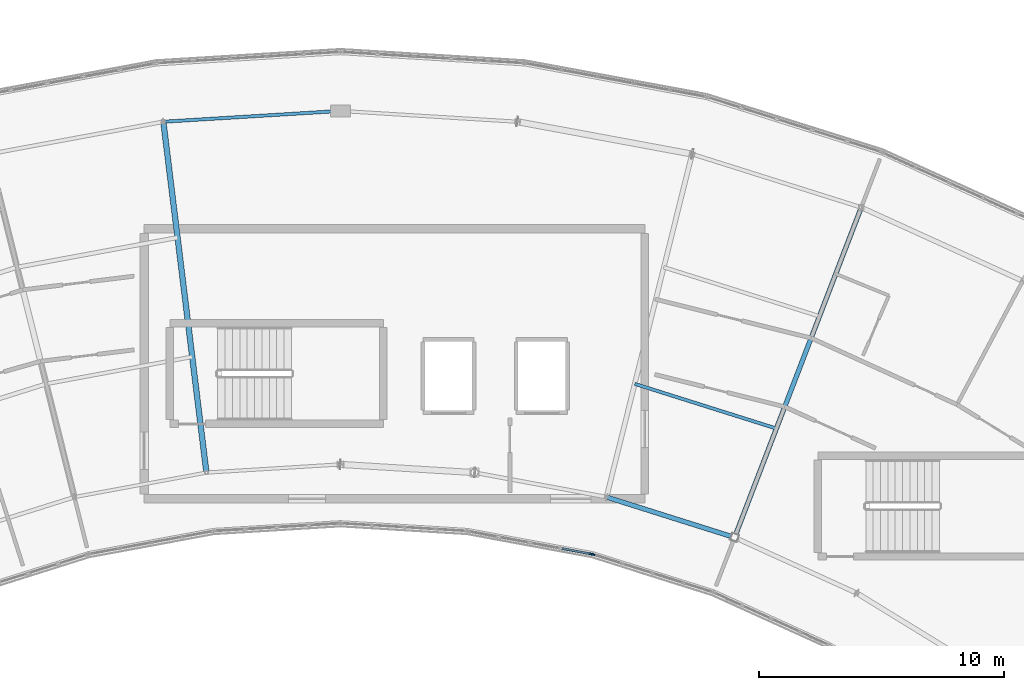
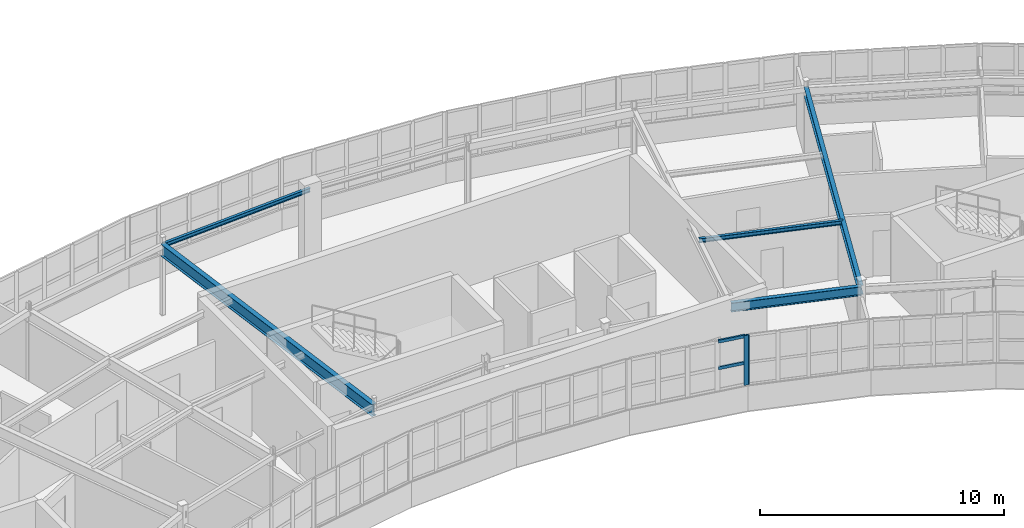
# One storey, part 39 of 79: 5 beams, 4 members, 2 elements without a shape of their own.
"""IFC4 building model written with IfcOpenShell, lengths in metres."""

from ifc_helpers import new_model, si_unit, direction, frame, origin, origin_2d, place, context, subcontext, project, spatial, rectangle, i_section, extrude, material, layer, layer_set, material_profile, profile_set, type_object, element, aggregate, save


model = new_model("IFC4")

# Units and contexts
model_context = context("Model", 3, precision=1e-05, world=origin(), true_north=direction((0.0, 1.0)))
body_context = subcontext(model_context, "Body", "Model", "MODEL_VIEW")
ifc_project = project(units=[si_unit("LENGTHUNIT", "METRE"), si_unit("AREAUNIT", "SQUARE_METRE"), si_unit("VOLUMEUNIT", "CUBIC_METRE"), si_unit("PLANEANGLEUNIT", "RADIAN"), si_unit("MASSUNIT", "GRAM", prefix="KILO")], contexts=[model_context])

# Site, building, storey
site_placement = place(None, origin())
site = spatial("IfcSite", under=ifc_project, at=site_placement, CompositionType="ELEMENT")
building_placement = place(site_placement, origin())
building = spatial("IfcBuilding", under=site, at=building_placement, Name="Tarnwether General Hospital", CompositionType="ELEMENT")
storey_placement = place(building_placement, frame((0.0, 0.0, 18.300048828125)))
storey = spatial("IfcBuildingStorey", under=building, at=storey_placement, Name="L04", CompositionType="ELEMENT", Elevation=18.300048828125)

# Beams
ifc_material_1 = material(Name="Steel Grade 350 (350 MPa)", Category="steel")
ifc_material_profile_1 = material_profile(ifc_material_1, i_section(OverallWidth=0.22802734375, OverallDepth=0.60205078125, WebThickness=0.010498046875, FlangeThickness=0.014892578125, at=origin_2d()), Name="610UB101")
ifc_profile_set_1 = profile_set([ifc_material_profile_1], Name="Steel Grade 350 (350 MPa)")
beam_type_1 = type_object("IfcBeamType", Name="BM-G05", PredefinedType="BEAM", material=ifc_profile_set_1)
beam_1_placement = place(storey_placement, frame((84.784912109375, 121.759033203125, 3.259033203125), z_axis=(0.121881045946, -0.99254471468, 0.0), x_axis=(0.99254471468, 0.121881045946, 0.0)))
element("IfcBeam", 1, at=beam_1_placement, inside=storey, type_object=beam_type_1, Name="Curved Ward NW Radial Girder BMG-L04-8478_12176-8654_10747-1952", PredefinedType="BEAM", context=body_context, shape_type="SweptSolid", body=[
    extrude(i_section(OverallWidth=0.22802734375, OverallDepth=0.60205078125, WebThickness=0.010498046875, FlangeThickness=0.014892578125, at=origin_2d()), origin(), (0.0, 0.0, 1.0), 14.400390625),
])
ifc_material_2 = material(Name="Steel Grade 350 (350 MPa)", Category="steel")
ifc_material_profile_2 = material_profile(ifc_material_2, i_section(OverallWidth=0.18994140625, OverallDepth=0.45703125, WebThickness=0.009033203125, FlangeThickness=0.014404296875, at=origin_2d()), Name="460UB74.6")
ifc_profile_set_2 = profile_set([ifc_material_profile_2], Name="Steel Grade 350 (350 MPa)")
beam_type_2 = type_object("IfcBeamType", Name="BM-G09", PredefinedType="BEAM", material=ifc_profile_set_2)
beam_2_placement = place(storey_placement, frame((113.215087890625, 118.26806640625, 3.33154296875), z_axis=(-0.358334838026, -0.933593136145, 0.0), x_axis=(0.933593136145, -0.358334838026, 0.0)))
element("IfcBeam", 2, at=beam_2_placement, inside=storey, type_object=beam_type_2, Name="Curved Ward NW Radial Girder BMG-L04-11322_11827-10806_10482-1954", PredefinedType="BEAM", context=body_context, shape_type="SweptSolid", body=[
    extrude(i_section(OverallWidth=0.18994140625, OverallDepth=0.45703125, WebThickness=0.009033203125, FlangeThickness=0.014404296875, at=origin_2d()), origin(), (0.0, 0.0, 1.0), 14.400390625),
])
ifc_material_3 = material(Name="Steel Grade 350 (350 MPa)", Category="steel")
ifc_material_profile_3 = material_profile(ifc_material_3, i_section(OverallWidth=0.134033203125, OverallDepth=0.20703125, WebThickness=0.00634765625, FlangeThickness=0.009521484375, at=origin_2d()), Name="200UB29.8")
ifc_profile_set_3 = profile_set([ifc_material_profile_3], Name="Steel Grade 350 (350 MPa)")
beam_type_3 = type_object("IfcBeamType", Name="BM-J12", PredefinedType="JOIST", material=ifc_profile_set_3)
beam_3_placement = place(storey_placement, frame((103.988037109375, 111.080078125, 3.45654296875), z_axis=(0.953725879816, -0.300677478654, 0.0), x_axis=(0.300677478654, 0.953725879816, 0.0)))
element("IfcBeam", 3, at=beam_3_placement, inside=storey, type_object=beam_type_3, Name="Curved Ward NW Chord Joist BMG-L04-10399_11108-10976_10926-1976", PredefinedType="JOIST", context=body_context, shape_type="SweptSolid", body=[
    extrude(i_section(OverallWidth=0.134033203125, OverallDepth=0.20703125, WebThickness=0.00634765625, FlangeThickness=0.009521484375, at=origin_2d()), origin(), (0.0, 0.0, 1.0), 6.050048828125),
])
ifc_material_4 = material(Name="Steel Grade 350 (350 MPa)", Category="steel")
ifc_material_profile_4 = material_profile(ifc_material_4, i_section(OverallWidth=0.18994140625, OverallDepth=0.4541015625, WebThickness=0.008544921875, FlangeThickness=0.0126953125, at=origin_2d()), Name="460UB67.1")
ifc_profile_set_4 = profile_set([ifc_material_profile_4], Name="Steel Grade 350 (350 MPa)")
beam_type_4 = type_object("IfcBeamType", Name="BM-SP1", PredefinedType="SPANDREL", material=ifc_profile_set_4)
beam_4_placement = place(storey_placement, frame((102.837890625, 106.468994140625, 3.3330078125), z_axis=(0.953712084488, -0.300721232874, 0.0), x_axis=(0.300721232874, 0.953712084488, 0.0)))
element("IfcBeam", 4, at=beam_4_placement, inside=storey, type_object=beam_type_4, Name="Curved Ward NW Inner Spandrel BMG-L04-10284_10647-10806_10482-1974", PredefinedType="SPANDREL", context=body_context, shape_type="SweptSolid", body=[
    extrude(i_section(OverallWidth=0.18994140625, OverallDepth=0.4541015625, WebThickness=0.008544921875, FlangeThickness=0.0126953125, at=origin_2d()), origin(), (0.0, 0.0, 1.0), 5.47021484375),
])
ifc_material_5 = material(Name="Steel Grade 350 (350 MPa)", Category="steel")
ifc_material_profile_5 = material_profile(ifc_material_5, i_section(OverallWidth=0.133056640625, OverallDepth=0.202880859375, WebThickness=0.005859375, FlangeThickness=0.0078125, at=origin_2d()), Name="200UB25.4")
ifc_profile_set_5 = profile_set([ifc_material_profile_5], Name="Steel Grade 350 (350 MPa)")
beam_type_5 = type_object("IfcBeamType", Name="BM-SP5", PredefinedType="SPANDREL", material=ifc_profile_set_5)
beam_5_placement = place(storey_placement, frame((84.784912109375, 121.759033203125, 3.45849609375), z_axis=(0.998137964221, 0.060996757127, 0.0), x_axis=(-0.060996757127, 0.998137964221, 0.0)))
element("IfcBeam", 5, at=beam_5_placement, inside=storey, type_object=beam_type_5, Name="Curved Ward NW Outer Spandrel BMG-L04-8478_12176-9200_12220-1967", PredefinedType="SPANDREL", context=body_context, shape_type="SweptSolid", body=[
    extrude(i_section(OverallWidth=0.133056640625, OverallDepth=0.202880859375, WebThickness=0.005859375, FlangeThickness=0.0078125, at=origin_2d()), origin(), (0.0, 0.0, 1.0), 7.228515625),
])

# Curtain wall, member
ifc_material_6 = material(Name="Anodised aluminium", Category="aluminium")
ifc_layer = layer(ifc_material_6, 0.159912109375)
ifc_layer_set = layer_set([ifc_layer], Name="Anodised aluminium")
curtain_wall_type = type_object("IfcCurtainWallType", Name="CW-04", PredefinedType="NOTDEFINED", material=ifc_layer_set)
curtain_wall_1_placement = place(storey_placement, origin())
curtain_wall_1 = element("IfcCurtainWall", 6, at=curtain_wall_1_placement, inside=storey, type_object=curtain_wall_type, Name="Curtain Wall CWG-L04-1072_1026-0045", PredefinedType="NOTDEFINED")
ifc_material_7 = material(Name="Anodised aluminium", Category="aluminium")
ifc_material_profile_6 = material_profile(ifc_material_7, rectangle(XDim=0.06005859375, YDim=0.159912109375, at=origin_2d()), Name="ALU-MUL-60x160")
ifc_profile_set_6 = profile_set([ifc_material_profile_6], Name="Anodised aluminium")
member_type_1 = type_object("IfcMemberType", Name="CW-ML1", PredefinedType="MULLION", material=ifc_profile_set_6)
member_1_placement = place(storey_placement, frame((102.28564453125, 104.132080078125, 1.050048828125), z_axis=(0.0, 0.0, 1.0), x_axis=(-0.30071538783, -0.953713927508, 0.0)))
member_1 = element("IfcMember", 7, at=member_1_placement, type_object=member_type_1, Name="CW-04 mullion 5", PredefinedType="MULLION", context=body_context, shape_type="SweptSolid", body=[
    extrude(rectangle(XDim=0.06005859375, YDim=0.159912109375, at=origin_2d()), origin(), (0.0, 0.0, 1.0), 2.489990234375),
])
aggregate(curtain_wall_1, [member_1])

# Curtain wall, members
curtain_wall_2_placement = place(storey_placement, origin())
curtain_wall_2 = element("IfcCurtainWall", 8, at=curtain_wall_2_placement, inside=storey, type_object=curtain_wall_type, Name="Curtain Wall CWG-L04-1023_1041-0044", PredefinedType="NOTDEFINED")
ifc_material_8 = material(Name="Anodised aluminium", Category="aluminium")
ifc_material_profile_7 = material_profile(ifc_material_8, rectangle(XDim=0.080078125, YDim=0.199951171875, at=origin_2d()), Name="ALU-MUL-80x200")
ifc_profile_set_7 = profile_set([ifc_material_profile_7], Name="Anodised aluminium")
member_type_2 = type_object("IfcMemberType", Name="CW-ML4", PredefinedType="MULLION", material=ifc_profile_set_7)
member_2_placement = place(storey_placement, frame((102.2177734375, 104.148193359375, 1.050048828125), z_axis=(0.0, 0.0, 1.0), x_axis=(-0.182165351666, -0.983267910924, 0.0)))
member_2 = element("IfcMember", 9, at=member_2_placement, type_object=member_type_2, Name="CW-04 mullion 1", PredefinedType="MULLION", context=body_context, shape_type="SweptSolid", body=[
    extrude(rectangle(XDim=0.080078125, YDim=0.199951171875, at=origin_2d()), origin(), (0.0, 0.0, 1.0), 2.489990234375),
])
ifc_material_9 = material(Name="Anodised aluminium", Category="aluminium")
ifc_material_profile_8 = material_profile(ifc_material_9, rectangle(XDim=0.080078125, YDim=0.14990234375, at=origin_2d()), Name="ALU-TRN-80x150")
ifc_profile_set_8 = profile_set([ifc_material_profile_8], Name="Anodised aluminium")
member_type_3 = type_object("IfcMemberType", Name="CW-TR4", PredefinedType="USERDEFINED", material=ifc_profile_set_8)
member_3_placement = place(storey_placement, frame((102.17822265625, 104.155517578125, 2.17041015625), z_axis=(-0.983265451868, 0.182178624331, 0.0), x_axis=(-0.182178624331, -0.983265451868, 0.0)))
member_3 = element("IfcMember", 10, at=member_3_placement, type_object=member_type_3, Name="CW-04 transom 1.2", ObjectType="TRANSOM", PredefinedType="USERDEFINED", context=body_context, shape_type="SweptSolid", body=[
    extrude(rectangle(XDim=0.080078125, YDim=0.14990234375, at=origin_2d()), origin(), (0.0, 0.0, 1.0), 1.173828125),
])
member_4_placement = place(storey_placement, frame((102.17822265625, 104.155517578125, 3.5), z_axis=(-0.983265451868, 0.182178624331, 0.0), x_axis=(-0.182178624331, -0.983265451868, 0.0)))
member_4 = element("IfcMember", 11, at=member_4_placement, type_object=member_type_3, Name="CW-04 transom 1.3", ObjectType="TRANSOM", PredefinedType="USERDEFINED", context=body_context, shape_type="SweptSolid", body=[
    extrude(rectangle(XDim=0.080078125, YDim=0.14990234375, at=origin_2d()), origin(), (0.0, 0.0, 1.0), 1.173828125),
])
aggregate(curtain_wall_2, [member_2, member_3, member_4])

save(model, "model.ifc")
